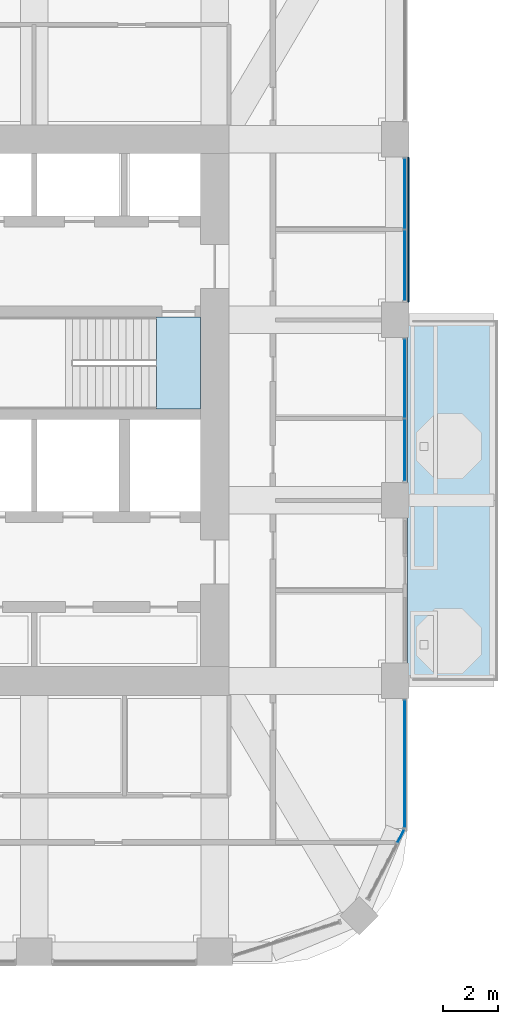
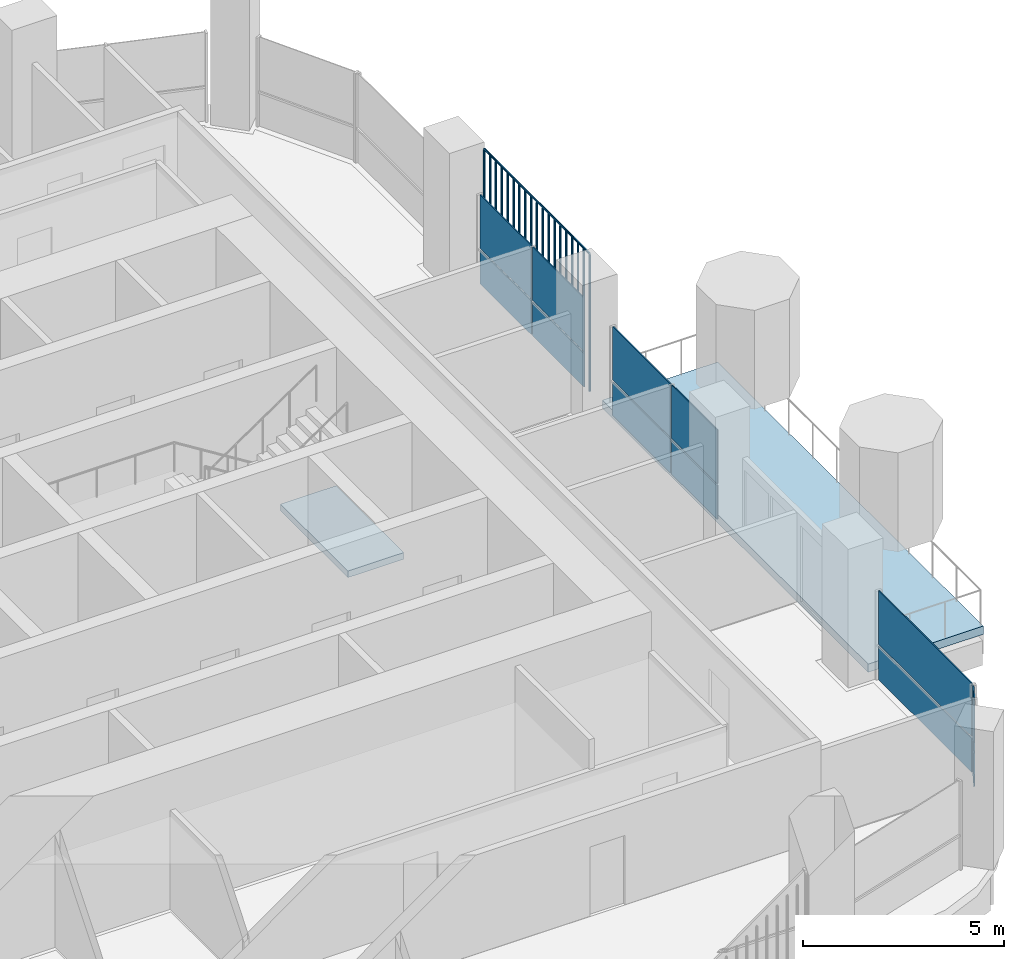
# One storey, part 9 of 20: 13 plates, 2 slabs, 5 elements without a shape of their own.
"""IFC4 building model written with IfcOpenShell, lengths in metres."""

from ifc_helpers import new_model, si_unit, direction, frame, origin, origin_2d, place, context, subcontext, project, spatial, polyline, rectangle, outline, extrude, material, layer, layer_set, type_object, element, aggregate, save


model = new_model("IFC4")

# Units and contexts
model_context = context("Model", 3, precision=1e-05, world=origin(), true_north=direction((0.0, 1.0)))
body_context = subcontext(model_context, "Body", "Model", "MODEL_VIEW")
ifc_project = project(units=[si_unit("LENGTHUNIT", "METRE"), si_unit("AREAUNIT", "SQUARE_METRE"), si_unit("VOLUMEUNIT", "CUBIC_METRE"), si_unit("PLANEANGLEUNIT", "RADIAN"), si_unit("MASSUNIT", "GRAM", prefix="KILO")], contexts=[model_context])

# Site, building, storey
site_placement = place(None, origin())
site = spatial("IfcSite", under=ifc_project, at=site_placement, CompositionType="ELEMENT")
building_placement = place(site_placement, origin())
building = spatial("IfcBuilding", under=site, at=building_placement, Name="Cobogo Forest Laboratory Tower", CompositionType="ELEMENT")
storey_placement = place(building_placement, frame((0.0, 0.0, 254.39990234375)))
storey = spatial("IfcBuildingStorey", under=building, at=storey_placement, Name="L58", CompositionType="ELEMENT", Elevation=254.39990234375)

# Slab
ifc_material_1 = material(Name="Concrete HA-40 (C40/50)", Category="concrete")
ifc_layer_1 = layer(ifc_material_1, 0.25)
ifc_layer_set_1 = layer_set([ifc_layer_1], Name="Balcony slab 250")
slab_type_1 = type_object("IfcSlabType", Name="Balcony slab 250", PredefinedType="FLOOR", material=ifc_layer_set_1)
slab_1_placement = place(storey_placement, frame((0.0, 0.0, -0.25)))
element("IfcSlab", 1, at=slab_1_placement, inside=storey, type_object=slab_type_1, Name="Balcony BAL-E1 L58", PredefinedType="FLOOR", context=body_context, shape_type="SweptSolid", body=[
    extrude(outline(polyline([(46.64990234375, 13.199951171875), (49.949951171875, 13.199951171875), (49.949951171875, 26.39990234375), (46.64990234375, 26.39990234375), (46.64990234375, 13.199951171875)])), origin(), (0.0, 0.0, 1.0), 0.25),
])

# Curtain wall, plates
ifc_material_2 = material(Name="Aluminium curtain wall", Category="aluminium")
curtain_wall_type = type_object("IfcCurtainWallType", Name="CW-2 unitised curtain wall, solar control glazing, laboratory floors zones C and D", PredefinedType="USERDEFINED", material=ifc_material_2)
curtain_wall_1_placement = place(storey_placement, origin())
curtain_wall_1 = element("IfcCurtainWall", 2, at=curtain_wall_1_placement, inside=storey, type_object=curtain_wall_type, Name="Curtain wall 06 L58", ObjectType="UNITISED CURTAIN WALL", PredefinedType="USERDEFINED")
ifc_material_3 = material(Name="Solar control insulated glass", Category="glass")
ifc_layer_2 = layer(ifc_material_3, 0.031982421875)
ifc_layer_set_2 = layer_set([ifc_layer_2], Name="GP-2 solar control glass unit 32")
plate_type_1 = type_object("IfcPlateType", Name="GP-2 solar control glass unit 32", PredefinedType="CURTAIN_PANEL", material=ifc_layer_set_2)
plate_1_placement = place(storey_placement, frame((46.40234375, 7.51806640625, 0.0), z_axis=(0.0, 0.0, 1.0), x_axis=(0.464283791352, 0.885686491422, 0.0)))
plate_1 = element("IfcPlate", 3, at=plate_1_placement, type_object=plate_type_1, Name="CW-2 panel 2.1", PredefinedType="CURTAIN_PANEL", context=body_context, shape_type="SweptSolid", body=[
    extrude(rectangle(XDim=0.516357421875, YDim=0.031982421875, at=origin_2d()), origin(), (0.0, 0.0, 1.0), 1.02001953125),
])
plate_2_placement = place(storey_placement, frame((46.40234375, 7.51806640625, 1.080078125), z_axis=(0.0, 0.0, 1.0), x_axis=(0.464283791352, 0.885686491422, 0.0)))
plate_2 = element("IfcPlate", 4, at=plate_2_placement, type_object=plate_type_1, Name="CW-2 panel 2.2", PredefinedType="CURTAIN_PANEL", context=body_context, shape_type="SweptSolid", body=[
    extrude(rectangle(XDim=0.516357421875, YDim=0.031982421875, at=origin_2d()), origin(), (0.0, 0.0, 1.0), 1.6201171875),
])
aggregate(curtain_wall_1, [plate_1, plate_2])

curtain_wall_2_placement = place(storey_placement, origin())
curtain_wall_2 = element("IfcCurtainWall", 5, at=curtain_wall_2_placement, inside=storey, type_object=curtain_wall_type, Name="Curtain wall 07 L58", ObjectType="UNITISED CURTAIN WALL", PredefinedType="USERDEFINED")
plate_3_placement = place(storey_placement, frame((46.550048828125, 10.175048828125, 0.0), z_axis=(0.0, 0.0, 1.0), x_axis=(0.0, 1.0, 0.0)))
plate_3 = element("IfcPlate", 6, at=plate_3_placement, type_object=plate_type_1, Name="CW-2 panel 1.1", PredefinedType="CURTAIN_PANEL", context=body_context, shape_type="SweptSolid", body=[
    extrude(rectangle(XDim=4.6298828125, YDim=0.031982421875, at=origin_2d()), origin(), (0.0, 0.0, 1.0), 1.02001953125),
])
plate_4_placement = place(storey_placement, frame((46.550048828125, 10.175048828125, 1.080078125), z_axis=(0.0, 0.0, 1.0), x_axis=(0.0, 1.0, 0.0)))
plate_4 = element("IfcPlate", 7, at=plate_4_placement, type_object=plate_type_1, Name="CW-2 panel 1.2", PredefinedType="CURTAIN_PANEL", context=body_context, shape_type="SweptSolid", body=[
    extrude(rectangle(XDim=4.6298828125, YDim=0.031982421875, at=origin_2d()), origin(), (0.0, 0.0, 1.0), 1.6201171875),
])
aggregate(curtain_wall_2, [plate_3, plate_4])

curtain_wall_3_placement = place(storey_placement, origin())
curtain_wall_3 = element("IfcCurtainWall", 8, at=curtain_wall_3_placement, inside=storey, type_object=curtain_wall_type, Name="Curtain wall 09 L58", ObjectType="UNITISED CURTAIN WALL", PredefinedType="USERDEFINED")
plate_5_placement = place(storey_placement, frame((46.550048828125, 21.639892578125, 0.0), z_axis=(0.0, 0.0, 1.0), x_axis=(0.0, 1.0, 0.0)))
plate_5 = element("IfcPlate", 9, at=plate_5_placement, type_object=plate_type_1, Name="CW-2 panel 1.1", PredefinedType="CURTAIN_PANEL", context=body_context, shape_type="SweptSolid", body=[
    extrude(rectangle(XDim=2.260009765625, YDim=0.031982421875, at=origin_2d()), origin(), (0.0, 0.0, 1.0), 1.02001953125),
])
plate_6_placement = place(storey_placement, frame((46.550048828125, 21.639892578125, 1.080078125), z_axis=(0.0, 0.0, 1.0), x_axis=(0.0, 1.0, 0.0)))
plate_6 = element("IfcPlate", 10, at=plate_6_placement, type_object=plate_type_1, Name="CW-2 panel 1.2", PredefinedType="CURTAIN_PANEL", context=body_context, shape_type="SweptSolid", body=[
    extrude(rectangle(XDim=2.260009765625, YDim=0.031982421875, at=origin_2d()), origin(), (0.0, 0.0, 1.0), 1.6201171875),
])
plate_7_placement = place(storey_placement, frame((46.550048828125, 24.260009765625, 0.0), z_axis=(0.0, 0.0, 1.0), x_axis=(0.0, 1.0, 0.0)))
plate_7 = element("IfcPlate", 11, at=plate_7_placement, type_object=plate_type_1, Name="CW-2 panel 2.1", PredefinedType="CURTAIN_PANEL", context=body_context, shape_type="SweptSolid", body=[
    extrude(rectangle(XDim=2.860107421875, YDim=0.031982421875, at=origin_2d()), origin(), (0.0, 0.0, 1.0), 1.02001953125),
])
plate_8_placement = place(storey_placement, frame((46.550048828125, 24.260009765625, 1.080078125), z_axis=(0.0, 0.0, 1.0), x_axis=(0.0, 1.0, 0.0)))
plate_8 = element("IfcPlate", 12, at=plate_8_placement, type_object=plate_type_1, Name="CW-2 panel 2.2", PredefinedType="CURTAIN_PANEL", context=body_context, shape_type="SweptSolid", body=[
    extrude(rectangle(XDim=2.860107421875, YDim=0.031982421875, at=origin_2d()), origin(), (0.0, 0.0, 1.0), 1.6201171875),
])
aggregate(curtain_wall_3, [plate_5, plate_6, plate_7, plate_8])

curtain_wall_4_placement = place(storey_placement, origin())
curtain_wall_4 = element("IfcCurtainWall", 13, at=curtain_wall_4_placement, inside=storey, type_object=curtain_wall_type, Name="Curtain wall 10 L58", ObjectType="UNITISED CURTAIN WALL", PredefinedType="USERDEFINED")
plate_9_placement = place(storey_placement, frame((46.550048828125, 28.389892578125, 0.0), z_axis=(0.0, 0.0, 1.0), x_axis=(0.0, 1.0, 0.0)))
plate_9 = element("IfcPlate", 14, at=plate_9_placement, type_object=plate_type_1, Name="CW-2 panel 1.1", PredefinedType="CURTAIN_PANEL", context=body_context, shape_type="SweptSolid", body=[
    extrude(rectangle(XDim=2.56005859375, YDim=0.031982421875, at=origin_2d()), origin(), (0.0, 0.0, 1.0), 1.02001953125),
])
plate_10_placement = place(storey_placement, frame((46.550048828125, 28.389892578125, 1.080078125), z_axis=(0.0, 0.0, 1.0), x_axis=(0.0, 1.0, 0.0)))
plate_10 = element("IfcPlate", 15, at=plate_10_placement, type_object=plate_type_1, Name="CW-2 panel 1.2", PredefinedType="CURTAIN_PANEL", context=body_context, shape_type="SweptSolid", body=[
    extrude(rectangle(XDim=2.56005859375, YDim=0.031982421875, at=origin_2d()), origin(), (0.0, 0.0, 1.0), 1.6201171875),
])
plate_11_placement = place(storey_placement, frame((46.550048828125, 31.010009765625, 0.0), z_axis=(0.0, 0.0, 1.0), x_axis=(0.0, 1.0, 0.0)))
plate_11 = element("IfcPlate", 16, at=plate_11_placement, type_object=plate_type_1, Name="CW-2 panel 2.1", PredefinedType="CURTAIN_PANEL", context=body_context, shape_type="SweptSolid", body=[
    extrude(rectangle(XDim=2.56005859375, YDim=0.031982421875, at=origin_2d()), origin(), (0.0, 0.0, 1.0), 1.02001953125),
])
plate_12_placement = place(storey_placement, frame((46.550048828125, 31.010009765625, 1.080078125), z_axis=(0.0, 0.0, 1.0), x_axis=(0.0, 1.0, 0.0)))
plate_12 = element("IfcPlate", 17, at=plate_12_placement, type_object=plate_type_1, Name="CW-2 panel 2.2", PredefinedType="CURTAIN_PANEL", context=body_context, shape_type="SweptSolid", body=[
    extrude(rectangle(XDim=2.56005859375, YDim=0.031982421875, at=origin_2d()), origin(), (0.0, 0.0, 1.0), 1.6201171875),
])
aggregate(curtain_wall_4, [plate_9, plate_10, plate_11, plate_12])

# Stair, slab
ifc_material_4 = material(Name="Precast concrete HA-40 (C40/50)", Category="concrete")
stair_type = type_object("IfcStairType", Name="ST24 exit stair 24 risers", PredefinedType="HALF_TURN_STAIR", material=ifc_material_4)
stair_placement = place(storey_placement, origin())
stair = element("IfcStair", 18, at=stair_placement, inside=storey, type_object=stair_type, Name="Stair 2 L58 to L59", PredefinedType="HALF_TURN_STAIR")
ifc_layer_3 = layer(ifc_material_1, 0.199951171875)
ifc_layer_set_3 = layer_set([ifc_layer_3], Name="SL stair landing 200")
slab_type_2 = type_object("IfcSlabType", Name="SL stair landing 200", PredefinedType="LANDING", material=ifc_layer_set_3)
slab_2_placement = place(storey_placement, frame((0.0, 0.0, -0.199951171875)))
slab_2 = element("IfcSlab", 19, at=slab_2_placement, type_object=slab_type_2, Name="ST2 landing 1", PredefinedType="LANDING", context=body_context, shape_type="SweptSolid", body=[
    extrude(outline(polyline([(37.472900390625, 23.14990234375), (39.074951171875, 23.14990234375), (39.074951171875, 26.5), (37.472900390625, 26.5), (37.472900390625, 23.14990234375)])), origin(), (0.0, 0.0, 1.0), 0.199951171875),
])
aggregate(stair, [slab_2])

# Plate
ifc_material_5 = material(Name="Terracotta", Category="masonry")
plate_type_2 = type_object("IfcPlateType", Name="TB1 terracotta baguette screen", PredefinedType="USERDEFINED", material=ifc_material_5)
plate_13_placement = place(storey_placement, frame((46.677978515625, 27.081298828125, -0.14990234375)))
element("IfcPlate", 20, at=plate_13_placement, inside=storey, type_object=plate_type_2, Name="Baguette screen E3 L58", ObjectType="BAGUETTE SCREEN", PredefinedType="USERDEFINED", context=body_context, shape_type="SweptSolid", body=[
    extrude(outline(polyline([(0.02880859375, 0.011962890625), (0.011962890625, 0.02880859375), (-0.011962890625, 0.02880859375), (-0.02880859375, 0.011962890625), (-0.02880859375, -0.011962890625), (-0.011962890625, -0.02880859375), (0.011962890625, -0.02880859375), (0.02880859375, -0.011962890625), (0.02880859375, 0.011962890625)])), frame((0.0, 0.0, 4.168701171875), z_axis=(0.0, 1.0, 0.0), x_axis=(-1.0, 0.0, 0.0)), (0.0, 0.0, 1.0), 5.237548828125),
    extrude(outline(polyline([(0.02880859375, 0.011962890625), (0.011962890625, 0.02880859375), (-0.011962890625, 0.02880859375), (-0.02880859375, 0.011962890625), (-0.02880859375, -0.011962890625), (-0.011962890625, -0.02880859375), (0.011962890625, -0.02880859375), (0.02880859375, -0.011962890625), (0.02880859375, 0.011962890625)])), origin(), (0.0, 0.0, 1.0), 4.137451171875),
    extrude(outline(polyline([(0.02880859375, 0.011962890625), (0.011962890625, 0.02880859375), (-0.011962890625, 0.02880859375), (-0.02880859375, 0.011962890625), (-0.02880859375, -0.011962890625), (-0.011962890625, -0.02880859375), (0.011962890625, -0.02880859375), (0.02880859375, -0.011962890625), (0.02880859375, 0.011962890625)])), frame((0.0, 0.291015625, 0.0)), (0.0, 0.0, 1.0), 4.137451171875),
    extrude(outline(polyline([(0.02880859375, 0.011962890625), (0.011962890625, 0.02880859375), (-0.011962890625, 0.02880859375), (-0.02880859375, 0.011962890625), (-0.02880859375, -0.011962890625), (-0.011962890625, -0.02880859375), (0.011962890625, -0.02880859375), (0.02880859375, -0.011962890625), (0.02880859375, 0.011962890625)])), frame((0.0, 0.58203125, 0.0)), (0.0, 0.0, 1.0), 4.137451171875),
    extrude(outline(polyline([(0.02880859375, 0.011962890625), (0.011962890625, 0.02880859375), (-0.011962890625, 0.02880859375), (-0.02880859375, 0.011962890625), (-0.02880859375, -0.011962890625), (-0.011962890625, -0.02880859375), (0.011962890625, -0.02880859375), (0.02880859375, -0.011962890625), (0.02880859375, 0.011962890625)])), frame((0.0, 0.873046875, 0.0)), (0.0, 0.0, 1.0), 4.137451171875),
    extrude(outline(polyline([(0.02880859375, 0.011962890625), (0.011962890625, 0.02880859375), (-0.011962890625, 0.02880859375), (-0.02880859375, 0.011962890625), (-0.02880859375, -0.011962890625), (-0.011962890625, -0.02880859375), (0.011962890625, -0.02880859375), (0.02880859375, -0.011962890625), (0.02880859375, 0.011962890625)])), frame((0.0, 1.163818359375, 0.0)), (0.0, 0.0, 1.0), 4.137451171875),
    extrude(outline(polyline([(0.02880859375, 0.011962890625), (0.011962890625, 0.02880859375), (-0.011962890625, 0.02880859375), (-0.02880859375, 0.011962890625), (-0.02880859375, -0.011962890625), (-0.011962890625, -0.02880859375), (0.011962890625, -0.02880859375), (0.02880859375, -0.011962890625), (0.02880859375, 0.011962890625)])), frame((0.0, 1.454833984375, 0.0)), (0.0, 0.0, 1.0), 4.137451171875),
    extrude(outline(polyline([(0.02880859375, 0.011962890625), (0.011962890625, 0.02880859375), (-0.011962890625, 0.02880859375), (-0.02880859375, 0.011962890625), (-0.02880859375, -0.011962890625), (-0.011962890625, -0.02880859375), (0.011962890625, -0.02880859375), (0.02880859375, -0.011962890625), (0.02880859375, 0.011962890625)])), frame((0.0, 1.745849609375, 0.0)), (0.0, 0.0, 1.0), 4.137451171875),
    extrude(outline(polyline([(0.02880859375, 0.011962890625), (0.011962890625, 0.02880859375), (-0.011962890625, 0.02880859375), (-0.02880859375, 0.011962890625), (-0.02880859375, -0.011962890625), (-0.011962890625, -0.02880859375), (0.011962890625, -0.02880859375), (0.02880859375, -0.011962890625), (0.02880859375, 0.011962890625)])), frame((0.0, 2.036865234375, 0.0)), (0.0, 0.0, 1.0), 4.137451171875),
    extrude(outline(polyline([(0.02880859375, 0.011962890625), (0.011962890625, 0.02880859375), (-0.011962890625, 0.02880859375), (-0.02880859375, 0.011962890625), (-0.02880859375, -0.011962890625), (-0.011962890625, -0.02880859375), (0.011962890625, -0.02880859375), (0.02880859375, -0.011962890625), (0.02880859375, 0.011962890625)])), frame((0.0, 2.327880859375, 0.0)), (0.0, 0.0, 1.0), 4.137451171875),
    extrude(outline(polyline([(0.02880859375, 0.011962890625), (0.011962890625, 0.02880859375), (-0.011962890625, 0.02880859375), (-0.02880859375, 0.011962890625), (-0.02880859375, -0.011962890625), (-0.011962890625, -0.02880859375), (0.011962890625, -0.02880859375), (0.02880859375, -0.011962890625), (0.02880859375, 0.011962890625)])), frame((0.0, 2.61865234375, 0.0)), (0.0, 0.0, 1.0), 4.137451171875),
    extrude(outline(polyline([(0.02880859375, 0.011962890625), (0.011962890625, 0.02880859375), (-0.011962890625, 0.02880859375), (-0.02880859375, 0.011962890625), (-0.02880859375, -0.011962890625), (-0.011962890625, -0.02880859375), (0.011962890625, -0.02880859375), (0.02880859375, -0.011962890625), (0.02880859375, 0.011962890625)])), frame((0.0, 2.90966796875, 0.0)), (0.0, 0.0, 1.0), 4.137451171875),
    extrude(outline(polyline([(0.02880859375, 0.011962890625), (0.011962890625, 0.02880859375), (-0.011962890625, 0.02880859375), (-0.02880859375, 0.011962890625), (-0.02880859375, -0.011962890625), (-0.011962890625, -0.02880859375), (0.011962890625, -0.02880859375), (0.02880859375, -0.011962890625), (0.02880859375, 0.011962890625)])), frame((0.0, 3.20068359375, 0.0)), (0.0, 0.0, 1.0), 4.137451171875),
    extrude(outline(polyline([(0.02880859375, 0.011962890625), (0.011962890625, 0.02880859375), (-0.011962890625, 0.02880859375), (-0.02880859375, 0.011962890625), (-0.02880859375, -0.011962890625), (-0.011962890625, -0.02880859375), (0.011962890625, -0.02880859375), (0.02880859375, -0.011962890625), (0.02880859375, 0.011962890625)])), frame((0.0, 3.49169921875, 0.0)), (0.0, 0.0, 1.0), 4.137451171875),
    extrude(outline(polyline([(0.02880859375, 0.011962890625), (0.011962890625, 0.02880859375), (-0.011962890625, 0.02880859375), (-0.02880859375, 0.011962890625), (-0.02880859375, -0.011962890625), (-0.011962890625, -0.02880859375), (0.011962890625, -0.02880859375), (0.02880859375, -0.011962890625), (0.02880859375, 0.011962890625)])), frame((0.0, 3.78271484375, 0.0)), (0.0, 0.0, 1.0), 4.137451171875),
    extrude(outline(polyline([(0.02880859375, 0.011962890625), (0.011962890625, 0.02880859375), (-0.011962890625, 0.02880859375), (-0.02880859375, 0.011962890625), (-0.02880859375, -0.011962890625), (-0.011962890625, -0.02880859375), (0.011962890625, -0.02880859375), (0.02880859375, -0.011962890625), (0.02880859375, 0.011962890625)])), frame((0.0, 4.07373046875, 0.0)), (0.0, 0.0, 1.0), 4.137451171875),
    extrude(outline(polyline([(0.02880859375, 0.011962890625), (0.011962890625, 0.02880859375), (-0.011962890625, 0.02880859375), (-0.02880859375, 0.011962890625), (-0.02880859375, -0.011962890625), (-0.011962890625, -0.02880859375), (0.011962890625, -0.02880859375), (0.02880859375, -0.011962890625), (0.02880859375, 0.011962890625)])), frame((0.0, 4.36474609375, 0.0)), (0.0, 0.0, 1.0), 4.137451171875),
    extrude(outline(polyline([(0.02880859375, 0.011962890625), (0.011962890625, 0.02880859375), (-0.011962890625, 0.02880859375), (-0.02880859375, 0.011962890625), (-0.02880859375, -0.011962890625), (-0.011962890625, -0.02880859375), (0.011962890625, -0.02880859375), (0.02880859375, -0.011962890625), (0.02880859375, 0.011962890625)])), frame((0.0, 4.655517578125, 0.0)), (0.0, 0.0, 1.0), 4.137451171875),
    extrude(outline(polyline([(0.02880859375, 0.011962890625), (0.011962890625, 0.02880859375), (-0.011962890625, 0.02880859375), (-0.02880859375, 0.011962890625), (-0.02880859375, -0.011962890625), (-0.011962890625, -0.02880859375), (0.011962890625, -0.02880859375), (0.02880859375, -0.011962890625), (0.02880859375, 0.011962890625)])), frame((0.0, 4.946533203125, 0.0)), (0.0, 0.0, 1.0), 4.137451171875),
    extrude(outline(polyline([(0.02880859375, 0.011962890625), (0.011962890625, 0.02880859375), (-0.011962890625, 0.02880859375), (-0.02880859375, 0.011962890625), (-0.02880859375, -0.011962890625), (-0.011962890625, -0.02880859375), (0.011962890625, -0.02880859375), (0.02880859375, -0.011962890625), (0.02880859375, 0.011962890625)])), frame((0.0, 5.237548828125, 0.0)), (0.0, 0.0, 1.0), 4.137451171875),
])

save(model, "model.ifc")
